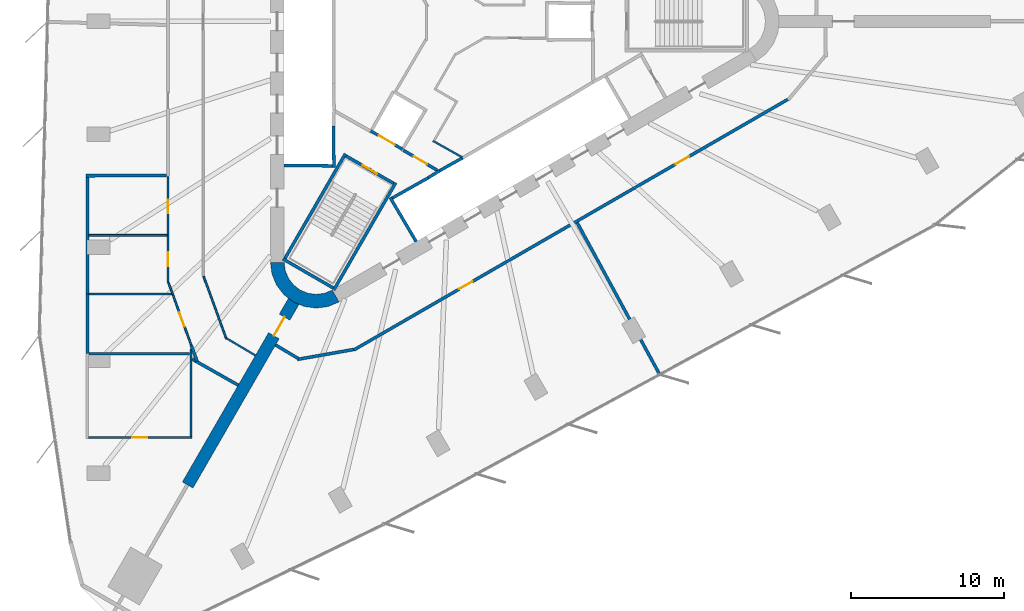
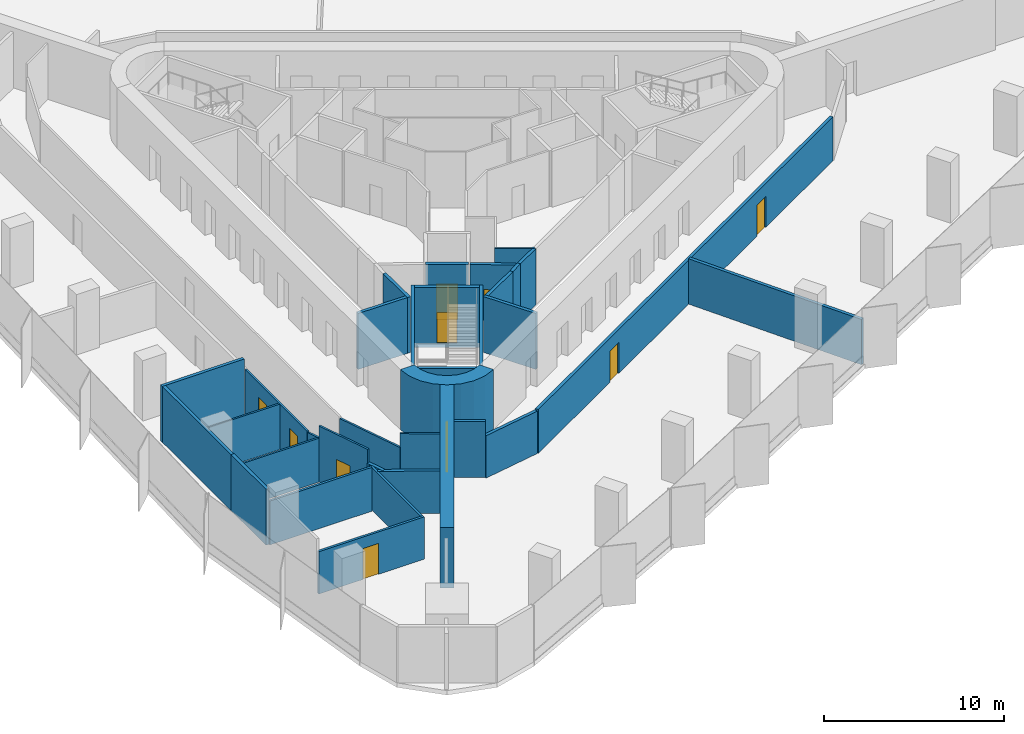
# One storey, part 8 of 13: 34 walls, 10 doors, 10 openings.
"""IFC4 building model written with IfcOpenShell, lengths in metres."""

from ifc_helpers import new_model, si_unit, direction, frame, frame_2d, origin, place, context, subcontext, project, spatial, polyline, rectangle, outline, extrude, material, layer, layer_set, type_object, element, fill, save


model = new_model("IFC4")

# Units and contexts
model_context = context("Model", 3, precision=1e-05, world=origin(), true_north=direction((0.0, 1.0)))
body_context = subcontext(model_context, "Body", "Model", "MODEL_VIEW")
ifc_project = project(units=[si_unit("LENGTHUNIT", "METRE"), si_unit("AREAUNIT", "SQUARE_METRE"), si_unit("VOLUMEUNIT", "CUBIC_METRE"), si_unit("PLANEANGLEUNIT", "RADIAN"), si_unit("MASSUNIT", "GRAM", prefix="KILO")], contexts=[model_context])

# Site, building, storey
site_placement = place(None, origin())
site = spatial("IfcSite", under=ifc_project, at=site_placement, CompositionType="ELEMENT")
building_placement = place(site_placement, origin())
building = spatial("IfcBuilding", under=site, at=building_placement, Name="Tanit Gate Tower", CompositionType="ELEMENT")
storey_placement = place(building_placement, frame((0.0, 0.0, 61.89990234375)))
storey = spatial("IfcBuildingStorey", under=building, at=storey_placement, Name="L11", CompositionType="ELEMENT", Elevation=61.89990234375)

# Wall, opening, door
ifc_material_1 = material(Name="Concrete C60/75", Category="concrete")
ifc_layer_1 = layer(ifc_material_1, 0.800048828125)
ifc_layer_set_1 = layer_set([ifc_layer_1], Name="BUTTRESS FIN 800 C60/75")
wall_type_1 = type_object("IfcWallType", Name="BUTTRESS FIN 800 C60/75", PredefinedType="SHEAR", material=ifc_layer_set_1)
wall_1_placement = place(storey_placement, frame((-10.574951171875, -18.31640625, 0.0), z_axis=(0.0, 0.0, 1.0), x_axis=(-0.500001010139, -0.866024820579, 0.0)))
wall_1 = element("IfcWall", 1, at=wall_1_placement, inside=storey, type_object=wall_type_1, Name="BUTTRESS FIN", PredefinedType="SHEAR", context=body_context, shape_type="SweptSolid", body=[
    extrude(rectangle(XDim=13.8837890625, YDim=0.800048828125, at=frame_2d((6.94189453125, 0.0))), origin(), (0.0, 0.0, 1.0), 4.10009765625),
])
opening_1_placement = place(wall_1_placement, frame((1.199951171875, 0.0, 0.0)))
opening_1 = element("IfcOpeningElement", 2, at=opening_1_placement, cuts=wall_1, Name="Opening P14-S01-F-SW-1", PredefinedType="OPENING", context=body_context, shape_type="SweptSolid", body=[
    extrude(rectangle(XDim=1.39990234375, YDim=2.39990234375, at=frame_2d((0.699951171875, 1.199951171875))), frame((0.0, 0.41015625, 0.0), z_axis=(0.0, -1.0, 0.0), x_axis=(1.0, 0.0, 0.0)), (0.0, 0.0, 1.0), 0.820068359375),
])
ifc_material_2 = material(Name="Timber door leaf", Category="wood")
door_type_1 = type_object("IfcDoorType", Name="INT-DOOR-FIN-PAIR-1400", OperationType="NOTDEFINED", PredefinedType="NOTDEFINED", material=ifc_material_2)
door_1_placement = place(opening_1_placement, origin())
door_1 = element("IfcDoor", 3, at=door_1_placement, inside=storey, type_object=door_type_1, Name="Door P14-S01-F-SW-1", OperationType="DOUBLE_DOOR_SINGLE_SWING", OverallHeight=2.39990234375, OverallWidth=1.39990234375, PredefinedType="NOTDEFINED", context=body_context, shape_type="SweptSolid", body=[
    extrude(rectangle(XDim=1.39990234375, YDim=2.39990234375, at=frame_2d((0.699951171875, 1.199951171875))), frame((0.0, 0.02490234375, 0.0), z_axis=(0.0, -1.0, 0.0), x_axis=(1.0, 0.0, 0.0)), (0.0, 0.0, 1.0), 0.050048828125),
])
fill(opening_1, door_1)

# Wall
ifc_material_3 = material(Name="Concrete C60/75", Category="concrete")
ifc_layer_2 = layer(ifc_material_3, 0.89990234375)
ifc_layer_set_2 = layer_set([ifc_layer_2], Name="CORE WALL 900 C60/75")
wall_type_2 = type_object("IfcWallType", Name="CORE WALL 900 C60/75", PredefinedType="SHEAR", material=ifc_layer_set_2)
wall_2_placement = place(storey_placement, origin())
element("IfcWall", 4, at=wall_2_placement, inside=storey, type_object=wall_type_2, Name="CORE WALL CORNER", PredefinedType="SHEAR", context=body_context, shape_type="SweptSolid", body=[
    extrude(outline(polyline([(-12.10009765625, -15.76171875), (-11.997802734375, -16.5380859375), (-11.697998046875, -17.26171875), (-11.22119140625, -17.883056640625), (-10.60009765625, -18.359619140625), (-9.87646484375, -18.659423828125), (-9.10009765625, -18.76171875), (-8.323486328125, -18.659423828125), (-7.60009765625, -18.359619140625), (-8.050048828125, -17.580322265625), (-8.556396484375, -17.7900390625), (-9.10009765625, -17.86181640625), (-9.6435546875, -17.7900390625), (-10.14990234375, -17.580322265625), (-10.5849609375, -17.24658203125), (-10.918701171875, -16.811767578125), (-11.12841796875, -16.30517578125), (-11.199951171875, -15.76171875), (-12.10009765625, -15.76171875)])), origin(), (0.0, 0.0, 1.0), 4.10009765625),
])

# Wall, opening, door
ifc_material_4 = material(Name="Fire-rated gypsum board partition")
ifc_layer_3 = layer(ifc_material_4, 0.199951171875)
ifc_layer_set_3 = layer_set([ifc_layer_3], Name="INT-WALL-COMPARTMENT")
wall_type_3 = type_object("IfcWallType", Name="INT-WALL-COMPARTMENT", PredefinedType="PARTITIONING", material=ifc_layer_set_3)
wall_3_placement = place(storey_placement, frame((-3.400634765625, -8.43017578125, 0.0), z_axis=(0.0, 0.0, 1.0), x_axis=(0.860598681535, -0.509283721849, 0.0)))
wall_3 = element("IfcWall", 5, at=wall_3_placement, inside=storey, type_object=wall_type_3, Name="Wall Compartment W064", PredefinedType="PARTITIONING", context=body_context, shape_type="SweptSolid", body=[
    extrude(rectangle(XDim=2.5810546875, YDim=0.199951171875, at=frame_2d((1.29052734375, 0.0))), origin(), (0.0, 0.0, 1.0), 3.800048828125),
])
opening_2_placement = place(wall_3_placement, frame((0.79052734375, 0.0, 0.0)))
opening_2 = element("IfcOpeningElement", 6, at=opening_2_placement, cuts=wall_3, Name="Opening F10-S01-08", PredefinedType="OPENING", context=body_context, shape_type="SweptSolid", body=[
    extrude(rectangle(XDim=1.0, YDim=2.10009765625, at=frame_2d((0.5, 1.050048828125))), frame((0.0, 0.10986328125, 0.0), z_axis=(0.0, -1.0, 0.0), x_axis=(1.0, 0.0, 0.0)), (0.0, 0.0, 1.0), 0.219970703125),
])
ifc_material_5 = material(Name="Fire-rated steel door leaf", Category="steel")
door_type_2 = type_object("IfcDoorType", Name="INT-DOOR-FIRE-1000", OperationType="NOTDEFINED", PredefinedType="USERDEFINED", material=ifc_material_5)
door_2_placement = place(opening_2_placement, origin())
door_2 = element("IfcDoor", 7, at=door_2_placement, inside=storey, type_object=door_type_2, Name="Door F10-S01-08", ObjectType="FIRE DOOR", OperationType="SINGLE_SWING_LEFT", OverallHeight=2.10009765625, OverallWidth=1.0, PredefinedType="USERDEFINED", context=body_context, shape_type="SweptSolid", body=[
    extrude(rectangle(XDim=1.0, YDim=2.10009765625, at=frame_2d((0.5, 1.050048828125))), frame((0.0, 0.02490234375, 0.0), z_axis=(0.0, -1.0, 0.0), x_axis=(1.0, 0.0, 0.0)), (0.0, 0.0, 1.0), 0.050048828125),
])
fill(opening_2, door_2)

# Walls
wall_4_placement = place(storey_placement, frame((-17.22509765625, -22.09765625, 0.0), z_axis=(0.0, 0.0, 1.0), x_axis=(0.870318902943, -0.492488585838, 0.0)))
element("IfcWall", 8, at=wall_4_placement, inside=storey, type_object=wall_type_3, Name="Wall Compartment W092", PredefinedType="PARTITIONING", context=body_context, shape_type="SweptSolid", body=[
    extrude(rectangle(XDim=3.468505859375, YDim=0.199951171875, at=frame_2d((1.734375, 0.0))), origin(), (0.0, 0.0, 1.0), 2.880126953125),
])
wall_5_placement = place(storey_placement, frame((-17.28759765625, -21.177734375, 0.0), z_axis=(0.0, 0.0, 1.0), x_axis=(0.342070628624, -0.939674244104, 0.0)))
element("IfcWall", 9, at=wall_5_placement, inside=storey, type_object=wall_type_3, Name="Wall Compartment W093", PredefinedType="PARTITIONING", context=body_context, shape_type="SweptSolid", body=[
    extrude(rectangle(XDim=1.136962890625, YDim=0.199951171875, at=frame_2d((0.568359375, 0.0))), origin(), (0.0, 0.0, 1.0), 2.880126953125),
])

# Wall, openings, doors
wall_6_placement = place(storey_placement, frame((-6.64404296875, -21.5029296875, 0.0), z_axis=(0.0, 0.0, 1.0), x_axis=(0.866025615729, 0.499999632902, 0.0)))
wall_6 = element("IfcWall", 10, at=wall_6_placement, inside=storey, type_object=wall_type_3, Name="Wall Compartment W110", PredefinedType="PARTITIONING", context=body_context, shape_type="SweptSolid", body=[
    extrude(rectangle(XDim=32.810546875, YDim=0.199951171875, at=frame_2d((16.4052734375, 0.0))), origin(), (0.0, 0.0, 1.0), 2.97998046875),
])
opening_3_placement = place(wall_6_placement, frame((24.320068359375, 0.0, 0.0)))
opening_3 = element("IfcOpeningElement", 11, at=opening_3_placement, cuts=wall_6, Name="Opening F10-S01-24", PredefinedType="OPENING", context=body_context, shape_type="SweptSolid", body=[
    extrude(rectangle(XDim=1.0, YDim=2.10009765625, at=frame_2d((0.5, 1.050048828125))), frame((0.0, 0.10986328125, 0.0), z_axis=(0.0, -1.0, 0.0), x_axis=(1.0, 0.0, 0.0)), (0.0, 0.0, 1.0), 0.219970703125),
])
opening_4_placement = place(wall_6_placement, frame((7.96484375, 0.0, 0.0)))
opening_4 = element("IfcOpeningElement", 12, at=opening_4_placement, cuts=wall_6, Name="Opening F10-S01-25", PredefinedType="OPENING", context=body_context, shape_type="SweptSolid", body=[
    extrude(rectangle(XDim=1.0, YDim=2.10009765625, at=frame_2d((0.5, 1.050048828125))), frame((0.0, 0.10986328125, 0.0), z_axis=(0.0, -1.0, 0.0), x_axis=(1.0, 0.0, 0.0)), (0.0, 0.0, 1.0), 0.219970703125),
])
door_3_placement = place(opening_3_placement, origin())
door_3 = element("IfcDoor", 13, at=door_3_placement, inside=storey, type_object=door_type_2, Name="Door F10-S01-24", ObjectType="FIRE DOOR", OperationType="SINGLE_SWING_LEFT", OverallHeight=2.10009765625, OverallWidth=1.0, PredefinedType="USERDEFINED", context=body_context, shape_type="SweptSolid", body=[
    extrude(rectangle(XDim=1.0, YDim=2.10009765625, at=frame_2d((0.5, 1.050048828125))), frame((0.0, 0.02490234375, 0.0), z_axis=(0.0, -1.0, 0.0), x_axis=(1.0, 0.0, 0.0)), (0.0, 0.0, 1.0), 0.050048828125),
])
fill(opening_3, door_3)
door_4_placement = place(opening_4_placement, origin())
door_4 = element("IfcDoor", 14, at=door_4_placement, inside=storey, type_object=door_type_2, Name="Door F10-S01-25", ObjectType="FIRE DOOR", OperationType="SINGLE_SWING_LEFT", OverallHeight=2.10009765625, OverallWidth=1.0, PredefinedType="USERDEFINED", context=body_context, shape_type="SweptSolid", body=[
    extrude(rectangle(XDim=1.0, YDim=2.10009765625, at=frame_2d((0.5, 1.050048828125))), frame((0.0, 0.02490234375, 0.0), z_axis=(0.0, -1.0, 0.0), x_axis=(1.0, 0.0, 0.0)), (0.0, 0.0, 1.0), 0.050048828125),
])
fill(opening_4, door_4)

# Walls
wall_7_placement = place(storey_placement, frame((-10.33154296875, -22.118408203125, 0.0), z_axis=(0.0, 0.0, 1.0), x_axis=(0.984805281118, 0.173662195893, 0.0)))
element("IfcWall", 15, at=wall_7_placement, inside=storey, type_object=wall_type_3, Name="Wall Compartment W111", PredefinedType="PARTITIONING", context=body_context, shape_type="SweptSolid", body=[
    extrude(rectangle(XDim=3.732421875, YDim=0.199951171875, at=frame_2d((1.8662109375, 0.0))), origin(), (0.0, 0.0, 1.0), 2.880126953125),
])
wall_8_placement = place(storey_placement, frame((-11.764404296875, -21.176513671875, 0.0), z_axis=(0.0, 0.0, 1.0), x_axis=(0.85911197479, -0.511787665709, 0.0)))
element("IfcWall", 16, at=wall_8_placement, inside=storey, type_object=wall_type_3, Name="Wall Compartment W112", PredefinedType="PARTITIONING", context=body_context, shape_type="SweptSolid", body=[
    extrude(rectangle(XDim=1.751708984375, YDim=0.199951171875, at=frame_2d((0.8759765625, 0.0))), origin(), (0.0, 0.0, 1.0), 3.800048828125),
])
wall_9_placement = place(storey_placement, frame((-18.89990234375, -10.070556640625, 0.0), z_axis=(0.0, 0.0, 1.0), x_axis=(-0.999983827501, -0.005687243297, 0.0)))
element("IfcWall", 17, at=wall_9_placement, inside=storey, type_object=wall_type_3, Name="Wall Compartment W116", PredefinedType="PARTITIONING", context=body_context, shape_type="SweptSolid", body=[
    extrude(rectangle(XDim=5.280029296875, YDim=0.199951171875, at=frame_2d((2.64013671875, 0.0))), origin(), (0.0, 0.0, 1.0), 3.800048828125),
])
wall_10_placement = place(storey_placement, frame((-24.080078125, -21.733154296875, 0.0), z_axis=(0.0, 0.0, 1.0), x_axis=(0.0, 1.0, 0.0)))
element("IfcWall", 18, at=wall_10_placement, inside=storey, type_object=wall_type_3, Name="Wall Compartment W119", PredefinedType="PARTITIONING", context=body_context, shape_type="SweptSolid", body=[
    extrude(rectangle(XDim=3.896484375, YDim=0.199951171875, at=frame_2d((1.9482421875, 0.0))), origin(), (0.0, 0.0, 1.0), 3.800048828125),
])
wall_11_placement = place(storey_placement, frame((-24.080078125, -17.836669921875, 0.0), z_axis=(0.0, 0.0, 1.0), x_axis=(0.0, 1.0, 0.0)))
element("IfcWall", 19, at=wall_11_placement, inside=storey, type_object=wall_type_3, Name="Wall Compartment W118", PredefinedType="PARTITIONING", context=body_context, shape_type="SweptSolid", body=[
    extrude(rectangle(XDim=7.63671875, YDim=0.199951171875, at=frame_2d((3.818359375, 0.0))), origin(), (0.0, 0.0, 1.0), 3.800048828125),
])
wall_12_placement = place(storey_placement, frame((7.978759765625, -13.17578125, 0.0), z_axis=(0.0, 0.0, 1.0), x_axis=(0.477371038841, -0.878701821596, 0.0)))
element("IfcWall", 20, at=wall_12_placement, inside=storey, type_object=wall_type_3, Name="Wall Compartment W129", PredefinedType="PARTITIONING", context=body_context, shape_type="SweptSolid", body=[
    extrude(rectangle(XDim=11.288818359375, YDim=0.199951171875, at=frame_2d((5.64453125, 0.0))), origin(), (0.0, 0.0, 1.0), 3.080078125),
])
ifc_material_6 = material(Name="Gypsum board partition")
ifc_layer_4 = layer(ifc_material_6, 0.1201171875)
ifc_layer_set_4 = layer_set([ifc_layer_4], Name="INT-WALL-PARTITION")
wall_type_4 = type_object("IfcWallType", Name="INT-WALL-PARTITION", PredefinedType="PARTITIONING", material=ifc_layer_set_4)
wall_13_placement = place(storey_placement, frame((-1.464111328125, -7.81591796875, 0.0), z_axis=(0.0, 0.0, 1.0), x_axis=(0.871880202732, -0.489719217597, 0.0)))
element("IfcWall", 21, at=wall_13_placement, inside=storey, type_object=wall_type_4, Name="Wall Partition W068", PredefinedType="PARTITIONING", context=body_context, shape_type="SweptSolid", body=[
    extrude(rectangle(XDim=2.224365234375, YDim=0.1201171875, at=frame_2d((1.1123046875, 0.0))), origin(), (0.0, 0.0, 1.0), 3.800048828125),
])
wall_14_placement = place(storey_placement, frame((-16.4794921875, -16.67333984375, 0.0), z_axis=(0.0, 0.0, 1.0), x_axis=(0.342025144217, -0.939690800595, 0.0)))
element("IfcWall", 22, at=wall_14_placement, inside=storey, type_object=wall_type_4, Name="Wall Partition W089", PredefinedType="PARTITIONING", context=body_context, shape_type="SweptSolid", body=[
    extrude(rectangle(XDim=4.377685546875, YDim=0.1201171875, at=frame_2d((2.18896484375, 0.0))), origin(), (0.0, 0.0, 1.0), 2.880126953125),
])
wall_15_placement = place(storey_placement, frame((-14.9833984375, -20.732421875, 0.0), z_axis=(0.0, 0.0, 1.0), x_axis=(0.860268204019, -0.509841756973, 0.0)))
element("IfcWall", 23, at=wall_15_placement, inside=storey, type_object=wall_type_4, Name="Wall Partition W090", PredefinedType="PARTITIONING", context=body_context, shape_type="SweptSolid", body=[
    extrude(rectangle(XDim=2.2099609375, YDim=0.1201171875, at=frame_2d((1.10498046875, 0.0))), origin(), (0.0, 0.0, 1.0), 3.800048828125),
])

# Wall, openings, doors
wall_16_placement = place(storey_placement, frame((-18.800048828125, -10.169921875, 0.0), z_axis=(0.0, 0.0, 1.0), x_axis=(0.0, -1.0, 0.0)))
wall_16 = element("IfcWall", 24, at=wall_16_placement, inside=storey, type_object=wall_type_4, Name="Wall Partition W097", PredefinedType="PARTITIONING", context=body_context, shape_type="SweptSolid", body=[
    extrude(rectangle(XDim=6.91259765625, YDim=0.1201171875, at=frame_2d((3.456298828125, 0.0))), origin(), (0.0, 0.0, 1.0), 3.080078125),
])
opening_5_placement = place(wall_16_placement, frame((1.495849609375, 0.0, 0.0)))
opening_5 = element("IfcOpeningElement", 25, at=opening_5_placement, cuts=wall_16, Name="Opening D09-S01-16", PredefinedType="OPENING", context=body_context, shape_type="SweptSolid", body=[
    extrude(rectangle(XDim=0.89990234375, YDim=2.10009765625, at=frame_2d((0.449951171875, 1.050048828125))), frame((0.0, 0.070068359375, 0.0), z_axis=(0.0, -1.0, 0.0), x_axis=(1.0, 0.0, 0.0)), (0.0, 0.0, 1.0), 0.14013671875),
])
opening_6_placement = place(wall_16_placement, frame((4.9521484375, 0.0, 0.0)))
opening_6 = element("IfcOpeningElement", 26, at=opening_6_placement, cuts=wall_16, Name="Opening D09-S01-17", PredefinedType="OPENING", context=body_context, shape_type="SweptSolid", body=[
    extrude(rectangle(XDim=0.89990234375, YDim=2.10009765625, at=frame_2d((0.449951171875, 1.050048828125))), frame((0.0, 0.070068359375, 0.0), z_axis=(0.0, -1.0, 0.0), x_axis=(1.0, 0.0, 0.0)), (0.0, 0.0, 1.0), 0.14013671875),
])
ifc_material_7 = material(Name="Timber door leaf", Category="wood")
door_type_3 = type_object("IfcDoorType", Name="INT-DOOR-SINGLE-900", OperationType="NOTDEFINED", PredefinedType="NOTDEFINED", material=ifc_material_7)
door_5_placement = place(opening_5_placement, origin())
door_5 = element("IfcDoor", 27, at=door_5_placement, inside=storey, type_object=door_type_3, Name="Door D09-S01-16", OperationType="SINGLE_SWING_RIGHT", OverallHeight=2.10009765625, OverallWidth=0.89990234375, PredefinedType="NOTDEFINED", context=body_context, shape_type="SweptSolid", body=[
    extrude(rectangle(XDim=0.89990234375, YDim=2.10009765625, at=frame_2d((0.449951171875, 1.050048828125))), frame((0.0, 0.02490234375, 0.0), z_axis=(0.0, -1.0, 0.0), x_axis=(1.0, 0.0, 0.0)), (0.0, 0.0, 1.0), 0.050048828125),
])
fill(opening_5, door_5)
door_6_placement = place(opening_6_placement, origin())
door_6 = element("IfcDoor", 28, at=door_6_placement, inside=storey, type_object=door_type_3, Name="Door D09-S01-17", OperationType="SINGLE_SWING_RIGHT", OverallHeight=2.10009765625, OverallWidth=0.89990234375, PredefinedType="NOTDEFINED", context=body_context, shape_type="SweptSolid", body=[
    extrude(rectangle(XDim=0.89990234375, YDim=2.10009765625, at=frame_2d((0.449951171875, 1.050048828125))), frame((0.0, 0.02490234375, 0.0), z_axis=(0.0, -1.0, 0.0), x_axis=(1.0, 0.0, 0.0)), (0.0, 0.0, 1.0), 0.050048828125),
])
fill(opening_6, door_6)

# Wall
wall_17_placement = place(storey_placement, frame((-18.779541015625, -17.078857421875, 0.0), z_axis=(0.0, 0.0, 1.0), x_axis=(0.342127231308, -0.939653637037, 0.0)))
element("IfcWall", 29, at=wall_17_placement, inside=storey, type_object=wall_type_4, Name="Wall Partition W098", PredefinedType="PARTITIONING", context=body_context, shape_type="SweptSolid", body=[
    extrude(rectangle(XDim=0.81640625, YDim=0.1201171875, at=frame_2d((0.408203125, 0.0))), origin(), (0.0, 0.0, 1.0), 2.97998046875),
])

# Wall, opening, door
wall_18_placement = place(storey_placement, frame((-18.500244140625, -17.845947265625, 0.0), z_axis=(0.0, 0.0, 1.0), x_axis=(0.342013954414, -0.939694873342, 0.0)))
wall_18 = element("IfcWall", 30, at=wall_18_placement, inside=storey, type_object=wall_type_4, Name="Wall Partition W100", PredefinedType="PARTITIONING", context=body_context, shape_type="SweptSolid", body=[
    extrude(rectangle(XDim=3.545654296875, YDim=0.1201171875, at=frame_2d((1.77294921875, 0.0))), origin(), (0.0, 0.0, 1.0), 3.800048828125),
])
opening_7_placement = place(wall_18_placement, frame((1.272705078125, 0.0, 0.0)))
opening_7 = element("IfcOpeningElement", 31, at=opening_7_placement, cuts=wall_18, Name="Opening D10-S01-18", PredefinedType="OPENING", context=body_context, shape_type="SweptSolid", body=[
    extrude(rectangle(XDim=1.0, YDim=2.10009765625, at=frame_2d((0.5, 1.050048828125))), frame((0.0, 0.070068359375, 0.0), z_axis=(0.0, -1.0, 0.0), x_axis=(1.0, 0.0, 0.0)), (0.0, 0.0, 1.0), 0.14013671875),
])
ifc_material_8 = material(Name="Timber door leaf", Category="wood")
door_type_4 = type_object("IfcDoorType", Name="INT-DOOR-SINGLE-1000", OperationType="NOTDEFINED", PredefinedType="NOTDEFINED", material=ifc_material_8)
door_7_placement = place(opening_7_placement, origin())
door_7 = element("IfcDoor", 32, at=door_7_placement, inside=storey, type_object=door_type_4, Name="Door D10-S01-18", OperationType="SINGLE_SWING_RIGHT", OverallHeight=2.10009765625, OverallWidth=1.0, PredefinedType="NOTDEFINED", context=body_context, shape_type="SweptSolid", body=[
    extrude(rectangle(XDim=1.0, YDim=2.10009765625, at=frame_2d((0.5, 1.050048828125))), frame((0.0, 0.02490234375, 0.0), z_axis=(0.0, -1.0, 0.0), x_axis=(1.0, 0.0, 0.0)), (0.0, 0.0, 1.0), 0.050048828125),
])
fill(opening_7, door_7)

# Walls
wall_19_placement = place(storey_placement, frame((-23.97998046875, -14.001953125, 0.0), z_axis=(0.0, 0.0, 1.0), x_axis=(1.0, 0.0, 0.0)))
element("IfcWall", 33, at=wall_19_placement, inside=storey, type_object=wall_type_4, Name="Wall Partition W130", PredefinedType="PARTITIONING", context=body_context, shape_type="SweptSolid", body=[
    extrude(rectangle(XDim=5.119873046875, YDim=0.1201171875, at=frame_2d((2.56005859375, 0.0))), origin(), (0.0, 0.0, 1.0), 3.080078125),
])
wall_20_placement = place(storey_placement, frame((-18.5673828125, -17.836669921875, 0.0), z_axis=(0.0, 0.0, 1.0), x_axis=(-1.0, 0.0, 0.0)))
element("IfcWall", 34, at=wall_20_placement, inside=storey, type_object=wall_type_4, Name="Wall Partition W131", PredefinedType="PARTITIONING", context=body_context, shape_type="SweptSolid", body=[
    extrude(rectangle(XDim=5.41259765625, YDim=0.1201171875, at=frame_2d((2.706298828125, 0.0))), origin(), (0.0, 0.0, 1.0), 2.97998046875),
])

# Wall, opening, door
ifc_material_9 = material(Name="Fire-rated gypsum board partition")
ifc_layer_5 = layer(ifc_material_9, 0.14990234375)
ifc_layer_set_5 = layer_set([ifc_layer_5], Name="INT-WALL-RISER")
wall_type_5 = type_object("IfcWallType", Name="INT-WALL-RISER", PredefinedType="PLUMBINGWALL", material=ifc_layer_set_5)
wall_21_placement = place(storey_placement, frame((-24.0048828125, -27.22998046875, 0.0), z_axis=(0.0, 0.0, 1.0), x_axis=(1.0, 0.0, 0.0)))
wall_21 = element("IfcWall", 35, at=wall_21_placement, inside=storey, type_object=wall_type_5, Name="Wall Riser W122", PredefinedType="PLUMBINGWALL", context=body_context, shape_type="SweptSolid", body=[
    extrude(rectangle(XDim=6.77978515625, YDim=0.14990234375, at=frame_2d((3.389892578125, 0.0))), origin(), (0.0, 0.0, 1.0), 2.880126953125),
])
opening_8_placement = place(wall_21_placement, frame((2.8525390625, 0.0, 0.0)))
opening_8 = element("IfcOpeningElement", 36, at=opening_8_placement, cuts=wall_21, Name="Opening F10-S01-19", PredefinedType="OPENING", context=body_context, shape_type="SweptSolid", body=[
    extrude(rectangle(XDim=1.0, YDim=2.10009765625, at=frame_2d((0.5, 1.050048828125))), frame((0.0, 0.0849609375, 0.0), z_axis=(0.0, -1.0, 0.0), x_axis=(1.0, 0.0, 0.0)), (0.0, 0.0, 1.0), 0.169921875),
])
door_8_placement = place(opening_8_placement, origin())
door_8 = element("IfcDoor", 37, at=door_8_placement, inside=storey, type_object=door_type_2, Name="Door F10-S01-19", ObjectType="FIRE DOOR", OperationType="SINGLE_SWING_RIGHT", OverallHeight=2.10009765625, OverallWidth=1.0, PredefinedType="USERDEFINED", context=body_context, shape_type="SweptSolid", body=[
    extrude(rectangle(XDim=1.0, YDim=2.10009765625, at=frame_2d((0.5, 1.050048828125))), frame((0.0, 0.02490234375, 0.0), z_axis=(0.0, -1.0, 0.0), x_axis=(1.0, 0.0, 0.0)), (0.0, 0.0, 1.0), 0.050048828125),
])
fill(opening_8, door_8)

# Walls
wall_22_placement = place(storey_placement, frame((-17.300048828125, -27.155029296875, 0.0), z_axis=(0.0, 0.0, 1.0), x_axis=(0.0, 1.0, 0.0)))
element("IfcWall", 38, at=wall_22_placement, inside=storey, type_object=wall_type_5, Name="Wall Riser W123", PredefinedType="PLUMBINGWALL", context=body_context, shape_type="SweptSolid", body=[
    extrude(rectangle(XDim=5.718994140625, YDim=0.14990234375, at=frame_2d((2.859375, 0.0))), origin(), (0.0, 0.0, 1.0), 2.880126953125),
])
wall_23_placement = place(storey_placement, frame((-17.39990234375, -21.74072265625, 0.0), z_axis=(0.0, 0.0, 1.0), x_axis=(-1.0, 0.0, 0.0)))
element("IfcWall", 39, at=wall_23_placement, inside=storey, type_object=wall_type_5, Name="Wall Riser W132", PredefinedType="PLUMBINGWALL", context=body_context, shape_type="SweptSolid", body=[
    extrude(rectangle(XDim=6.580078125, YDim=0.14990234375, at=frame_2d((3.2900390625, 0.0))), origin(), (0.0, 0.0, 1.0), 2.97998046875),
])
ifc_material_10 = material(Name="Gypsum shaft wall system")
ifc_layer_6 = layer(ifc_material_10, 0.199951171875)
ifc_layer_set_6 = layer_set([ifc_layer_6], Name="INT-WALL-SHAFT")
wall_type_6 = type_object("IfcWallType", Name="INT-WALL-SHAFT", PredefinedType="PLUMBINGWALL", material=ifc_layer_set_6)
wall_24_placement = place(storey_placement, frame((-7.97900390625, -6.85009765625, 0.0), z_axis=(0.0, 0.0, 1.0), x_axis=(0.011121475088, -0.999938154483, 0.0)))
element("IfcWall", 40, at=wall_24_placement, inside=storey, type_object=wall_type_6, Name="Wall Shaft W011", PredefinedType="PLUMBINGWALL", context=body_context, shape_type="SweptSolid", body=[
    extrude(rectangle(XDim=2.7001953125, YDim=0.199951171875, at=frame_2d((1.35009765625, 0.0))), origin(), (0.0, 0.0, 1.0), 3.800048828125),
])
wall_25_placement = place(storey_placement, frame((-8.050048828125, -9.448974609375, 0.0), z_axis=(0.0, 0.0, 1.0), x_axis=(-0.999957467379, 0.009222983926, 0.0)))
element("IfcWall", 41, at=wall_25_placement, inside=storey, type_object=wall_type_6, Name="Wall Shaft W012", PredefinedType="PLUMBINGWALL", context=body_context, shape_type="SweptSolid", body=[
    extrude(rectangle(XDim=3.150146484375, YDim=0.199951171875, at=frame_2d((1.5751953125, 0.0))), origin(), (0.0, 0.0, 1.0), 3.800048828125),
])
wall_26_placement = place(storey_placement, frame((-2.557861328125, -14.409423828125, 0.0), z_axis=(0.0, 0.0, 1.0), x_axis=(-0.507997497166, 0.861358544901, 0.0)))
element("IfcWall", 42, at=wall_26_placement, inside=storey, type_object=wall_type_6, Name="Wall Shaft W027", PredefinedType="PLUMBINGWALL", context=body_context, shape_type="SweptSolid", body=[
    extrude(rectangle(XDim=3.350341796875, YDim=0.199951171875, at=frame_2d((1.67529296875, 0.0))), origin(), (0.0, 0.0, 1.0), 3.800048828125),
])
wall_27_placement = place(storey_placement, frame((-1.7685546875, -10.23681640625, 0.0), z_axis=(0.0, 0.0, 1.0), x_axis=(-0.871534483978, -0.490334215854, 0.0)))
element("IfcWall", 43, at=wall_27_placement, inside=storey, type_object=wall_type_6, Name="Wall Shaft W028", PredefinedType="PLUMBINGWALL", context=body_context, shape_type="SweptSolid", body=[
    extrude(rectangle(XDim=2.7001953125, YDim=0.199951171875, at=frame_2d((1.35009765625, 0.0))), origin(), (0.0, 0.0, 1.0), 3.800048828125),
])
wall_28_placement = place(storey_placement, frame((-1.02392578125, -9.77099609375, 0.0), z_axis=(0.0, 0.0, 1.0), x_axis=(-0.850348075135, -0.526220629693, 0.0)))
element("IfcWall", 44, at=wall_28_placement, inside=storey, type_object=wall_type_6, Name="Wall Shaft W029", PredefinedType="PLUMBINGWALL", context=body_context, shape_type="SweptSolid", body=[
    extrude(rectangle(XDim=0.878173828125, YDim=0.199951171875, at=frame_2d((0.43896484375, 0.0))), origin(), (0.0, 0.0, 1.0), 3.800048828125),
])
wall_29_placement = place(storey_placement, frame((-1.13037109375, -9.83154296875, 0.0), z_axis=(0.0, 0.0, 1.0), x_axis=(0.871988740738, 0.489525929882, 0.0)))
element("IfcWall", 45, at=wall_29_placement, inside=storey, type_object=wall_type_6, Name="Wall Shaft W030", PredefinedType="PLUMBINGWALL", context=body_context, shape_type="SweptSolid", body=[
    extrude(rectangle(XDim=1.8447265625, YDim=0.199951171875, at=frame_2d((0.92236328125, 0.0))), origin(), (0.0, 0.0, 1.0), 3.800048828125),
])

# Wall, opening, door
wall_30_placement = place(storey_placement, frame((-3.44580078125, -8.3681640625, 0.0), z_axis=(0.0, 0.0, 1.0), x_axis=(-0.866024647952, 0.500001309137, 0.0)))
wall_30 = element("IfcWall", 46, at=wall_30_placement, inside=storey, type_object=wall_type_6, Name="Wall Shaft W053", PredefinedType="PLUMBINGWALL", context=body_context, shape_type="SweptSolid", body=[
    extrude(rectangle(XDim=2.39990234375, YDim=0.199951171875, at=frame_2d((1.199951171875, 0.0))), origin(), (0.0, 0.0, 1.0), 3.800048828125),
])
opening_9_placement = place(wall_30_placement, frame((0.60009765625, 0.0, 0.0)))
opening_9 = element("IfcOpeningElement", 47, at=opening_9_placement, cuts=wall_30, Name="Opening LDFL3-L11", PredefinedType="OPENING", context=body_context, shape_type="SweptSolid", body=[
    extrude(rectangle(XDim=1.199951171875, YDim=2.39990234375, at=frame_2d((0.60009765625, 1.199951171875))), frame((0.0, 0.10986328125, 0.0), z_axis=(0.0, -1.0, 0.0), x_axis=(1.0, 0.0, 0.0)), (0.0, 0.0, 1.0), 0.219970703125),
])
ifc_material_11 = material(Name="Stainless steel sliding door leaf", Category="steel")
door_type_5 = type_object("IfcDoorType", Name="INT-DOOR-LANDING-1200", OperationType="NOTDEFINED", PredefinedType="USERDEFINED", material=ifc_material_11)
door_9_placement = place(opening_9_placement, origin())
door_9 = element("IfcDoor", 48, at=door_9_placement, inside=storey, type_object=door_type_5, Name="Door LDFL3-L11", ObjectType="LANDING DOOR", OperationType="SLIDING_TO_LEFT", OverallHeight=2.39990234375, OverallWidth=1.199951171875, PredefinedType="USERDEFINED", context=body_context, shape_type="SweptSolid", body=[
    extrude(rectangle(XDim=1.199951171875, YDim=2.39990234375, at=frame_2d((0.60009765625, 1.199951171875))), frame((0.0, 0.02490234375, 0.0), z_axis=(0.0, -1.0, 0.0), x_axis=(1.0, 0.0, 0.0)), (0.0, 0.0, 1.0), 0.050048828125),
])
fill(opening_9, door_9)

# Walls
ifc_material_12 = material(Name="Concrete C40/50", Category="concrete")
ifc_layer_7 = layer(ifc_material_12, 0.199951171875)
ifc_layer_set_7 = layer_set([ifc_layer_7], Name="INT-WALL-STAIR")
wall_type_7 = type_object("IfcWallType", Name="INT-WALL-STAIR", PredefinedType="SHEAR", material=ifc_layer_set_7)
wall_31_placement = place(storey_placement, frame((-3.904541015625, -10.56298828125, -0.2998046875), z_axis=(0.0, 0.0, 1.0), x_axis=(-0.500012932018, -0.866017937352, 0.0)))
element("IfcWall", 49, at=wall_31_placement, inside=storey, type_object=wall_type_7, Name="Wall Stair W049", PredefinedType="SHEAR", context=body_context, shape_type="SweptSolid", body=[
    extrude(rectangle(XDim=8.099853515625, YDim=0.199951171875, at=frame_2d((4.0498046875, 0.0))), origin(), (0.0, 0.0, 1.0), 4.099853515625),
])
wall_32_placement = place(storey_placement, frame((-11.281982421875, -15.541015625, -0.2998046875), z_axis=(0.0, 0.0, 1.0), x_axis=(0.866000483506, -0.500043160704, 0.0)))
element("IfcWall", 50, at=wall_32_placement, inside=storey, type_object=wall_type_7, Name="Wall Stair W050", PredefinedType="SHEAR", context=body_context, shape_type="SweptSolid", body=[
    extrude(rectangle(XDim=3.800048828125, YDim=0.199951171875, at=frame_2d((1.89990234375, 0.0))), origin(), (0.0, 0.0, 1.0), 4.099853515625),
])
wall_33_placement = place(storey_placement, frame((-7.195556640625, -8.662841796875, -0.2998046875), z_axis=(0.0, 0.0, 1.0), x_axis=(-0.499997992926, -0.866026562566, 0.0)))
element("IfcWall", 51, at=wall_33_placement, inside=storey, type_object=wall_type_7, Name="Wall Stair W051", PredefinedType="SHEAR", context=body_context, shape_type="SweptSolid", body=[
    extrude(rectangle(XDim=7.89990234375, YDim=0.199951171875, at=frame_2d((3.949951171875, 0.0))), origin(), (0.0, 0.0, 1.0), 4.099853515625),
])

# Wall, opening, door
wall_34_placement = place(storey_placement, frame((-4.041259765625, -10.599365234375, -0.2998046875), z_axis=(0.0, 0.0, 1.0), x_axis=(-0.866047807691, 0.499961193289, 0.0)))
wall_34 = element("IfcWall", 52, at=wall_34_placement, inside=storey, type_object=wall_type_7, Name="Wall Stair W052", PredefinedType="SHEAR", context=body_context, shape_type="SweptSolid", body=[
    extrude(rectangle(XDim=3.599853515625, YDim=0.199951171875, at=frame_2d((1.7998046875, 0.0))), origin(), (0.0, 0.0, 1.0), 4.099853515625),
])
opening_10_placement = place(wall_34_placement, frame((1.25, 0.0, 0.300048828125)))
opening_10 = element("IfcOpeningElement", 53, at=opening_10_placement, cuts=wall_34, Name="Opening S11-S01-07", PredefinedType="OPENING", context=body_context, shape_type="SweptSolid", body=[
    extrude(rectangle(XDim=1.10009765625, YDim=2.10009765625, at=frame_2d((0.550048828125, 1.050048828125))), frame((0.0, 0.10986328125, 0.0), z_axis=(0.0, -1.0, 0.0), x_axis=(1.0, 0.0, 0.0)), (0.0, 0.0, 1.0), 0.219970703125),
])
ifc_material_13 = material(Name="Timber door leaf", Category="wood")
door_type_6 = type_object("IfcDoorType", Name="INT-DOOR-STAIR-1100", OperationType="NOTDEFINED", PredefinedType="USERDEFINED", material=ifc_material_13)
door_10_placement = place(opening_10_placement, origin())
door_10 = element("IfcDoor", 54, at=door_10_placement, inside=storey, type_object=door_type_6, Name="Door S11-S01-07", ObjectType="FIRE DOOR", OperationType="SINGLE_SWING_RIGHT", OverallHeight=2.10009765625, OverallWidth=1.10009765625, PredefinedType="USERDEFINED", context=body_context, shape_type="SweptSolid", body=[
    extrude(rectangle(XDim=1.10009765625, YDim=2.10009765625, at=frame_2d((0.550048828125, 1.050048828125))), frame((0.0, 0.02490234375, 0.0), z_axis=(0.0, -1.0, 0.0), x_axis=(1.0, 0.0, 0.0)), (0.0, 0.0, 1.0), 0.050048828125),
])
fill(opening_10, door_10)

save(model, "model.ifc")
